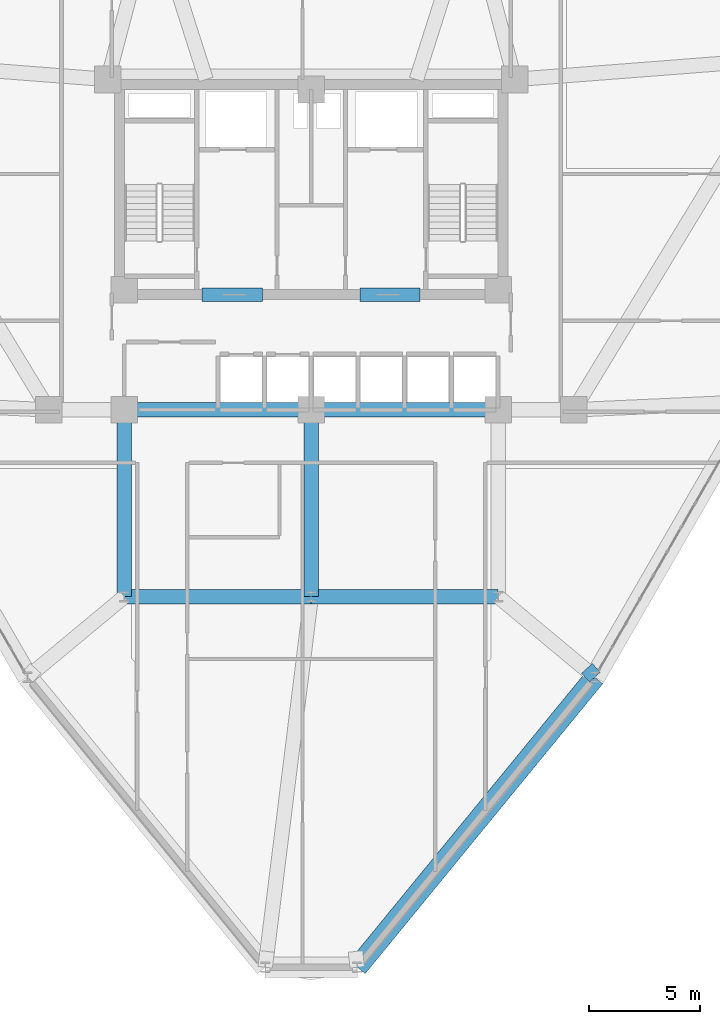
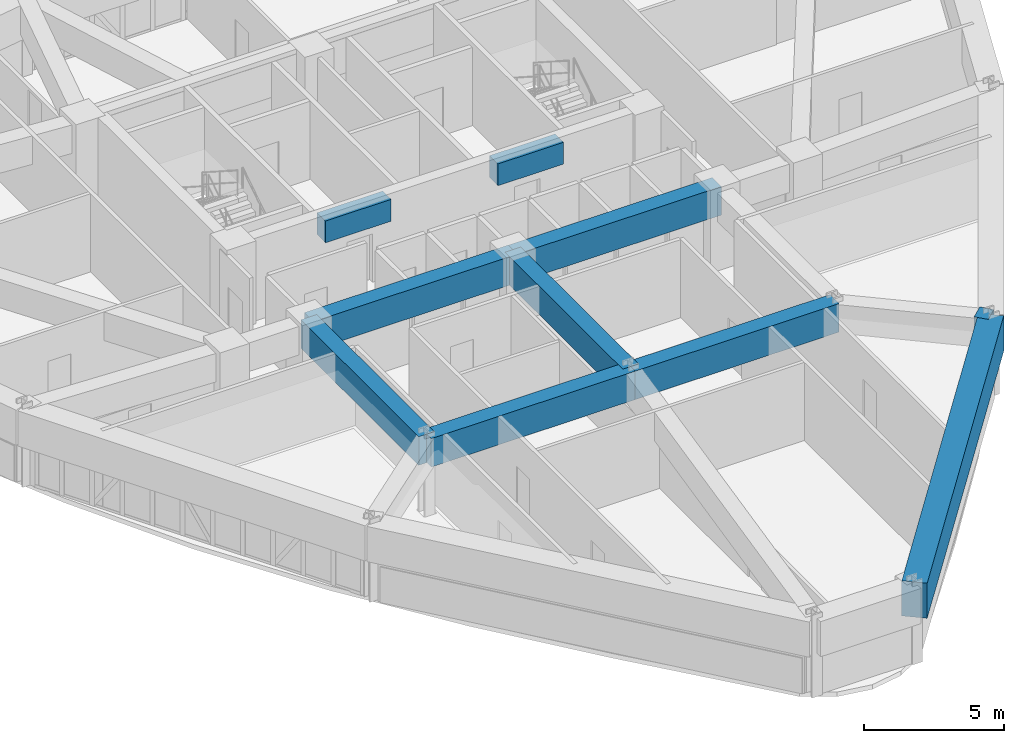
# One storey, part 5 of 16: 10 beams.
"""IFC4 building model written with IfcOpenShell, lengths in metres."""

from ifc_helpers import new_model, si_unit, derived_unit, direction, frame, origin, origin_2d, place, context, subcontext, project, spatial, rectangle, extrude, source, transform, mapped, material, material_profile, profile_set, type_object, element, save


model = new_model("IFC4")

# Units and contexts
model_context = context("Model", 3, precision=1e-05, world=origin(), true_north=direction((0.0, 1.0)))
body_context = subcontext(model_context, "Body", "Model", "MODEL_VIEW")
ifc_project = project(units=[si_unit("LENGTHUNIT", "METRE"), si_unit("AREAUNIT", "SQUARE_METRE"), si_unit("VOLUMEUNIT", "CUBIC_METRE"), si_unit("PLANEANGLEUNIT", "RADIAN"), si_unit("MASSUNIT", "GRAM", prefix="KILO"), derived_unit("THERMALTRANSMITTANCEUNIT", [(si_unit("POWERUNIT", "WATT"), 1), (si_unit("LENGTHUNIT", "METRE"), -2), (si_unit("THERMODYNAMICTEMPERATUREUNIT", "KELVIN"), -1)])], contexts=[model_context])

# Site, building, storey
site_placement = place(None, origin())
site = spatial("IfcSite", under=ifc_project, at=site_placement, CompositionType="ELEMENT")
building_placement = place(site_placement, origin())
building = spatial("IfcBuilding", under=site, at=building_placement, Name="Korsvarv Bourse and Concert Hall", CompositionType="ELEMENT")
storey_placement = place(building_placement, frame((0.0, 0.0, 106.199951171875)))
storey = spatial("IfcBuildingStorey", under=building, at=storey_placement, Name="L26", CompositionType="ELEMENT", Elevation=106.199951171875)

# Beams
ifc_material_1 = material(Name="Concrete C55/67", Category="concrete")
ifc_material_profile_1 = material_profile(ifc_material_1, rectangle(XDim=0.60009765625, YDim=0.949951171875, at=origin_2d()), Name="RC-BM 600x950")
ifc_profile_set_1 = profile_set([ifc_material_profile_1], Name="Concrete C55/67")
beam_type_1 = type_object("IfcBeamType", Name="BM-CPL", PredefinedType="LINTEL", material=ifc_profile_set_1)
shared_shape_1 = source(origin(), body_context, "Body", "SweptSolid", [
    extrude(rectangle(XDim=0.60009765625, YDim=0.949951171875, at=origin_2d()), origin(), (0.0, 0.0, 1.0), 2.699951171875),
])
for number, where, z_axis, x_axis, name in (
    (1, (31.10009765625, 37.574951171875, 2.925048828125), (1.0, 0.0, 0.0), (0.0, 1.0, 0.0), "L26 Core Coupling Beam West"),
    (2, (38.199951171875, 37.574951171875, 2.925048828125), (1.0, 0.0, 0.0), (0.0, 1.0, 0.0), "L26 Core Coupling Beam East"),
):
    element("IfcBeam", number, at=place(storey_placement, frame(where, z_axis=z_axis, x_axis=x_axis)), inside=storey, type_object=beam_type_1, Name=name, PredefinedType="LINTEL", context=body_context, shape_type="MappedRepresentation", body=[
        mapped(shared_shape_1, transform((0.0, 0.0, 0.0), scale=1.0)),
    ])
ifc_material_2 = material(Name="Concrete C50/60", Category="concrete")
ifc_material_profile_2 = material_profile(ifc_material_2, rectangle(XDim=0.64990234375, YDim=1.239990234375, at=origin_2d()), Name="RC-BM 650x1240")
ifc_profile_set_2 = profile_set([ifc_material_profile_2], Name="Concrete C50/60")
beam_type_2 = type_object("IfcBeamType", Name="BM-TR-SPN", PredefinedType="BEAM", material=ifc_profile_set_2)
shared_shape_2 = source(origin(), body_context, "Body", "SweptSolid", [
    extrude(rectangle(XDim=0.64990234375, YDim=1.239990234375, at=origin_2d()), origin(), (0.0, 0.0, 1.0), 8.39990234375),
])
for number, where, z_axis, x_axis, name in (
    (3, (27.60009765625, 32.39990234375, 2.780029296875), (1.0, 0.0, 0.0), (0.0, 1.0, 0.0), "L26 beam B-TRS"),
    (4, (36.0, 32.39990234375, 2.780029296875), (1.0, 0.0, 0.0), (0.0, 1.0, 0.0), "L26 beam B-TRS"),
    (5, (27.60009765625, 24.0, 2.780029296875), (1.0, 0.0, 0.0), (0.0, 1.0, 0.0), "L26 beam B-TRS"),
    (6, (36.0, 24.0, 2.780029296875), (1.0, 0.0, 0.0), (0.0, 1.0, 0.0), "L26 beam B-TRS"),
    (7, (27.60009765625, 24.0, 2.780029296875), (0.0, 1.0, 0.0), (-1.0, 0.0, 0.0), "L26 beam B-TRS"),
    (8, (36.0, 24.0, 2.780029296875), (0.0, 1.0, 0.0), (-1.0, 0.0, 0.0), "L26 beam B-TRS"),
):
    element("IfcBeam", number, at=place(storey_placement, frame(where, z_axis=z_axis, x_axis=x_axis)), inside=storey, type_object=beam_type_2, Name=name, PredefinedType="BEAM", context=body_context, shape_type="MappedRepresentation", body=[
        mapped(shared_shape_2, transform((0.0, 0.0, 0.0), scale=1.0)),
    ])
ifc_material_profile_3 = material_profile(ifc_material_2, rectangle(XDim=0.919921875, YDim=1.530029296875, at=origin_2d()), Name="RC-BM 920x1530")
ifc_profile_set_3 = profile_set([ifc_material_profile_3], Name="Concrete C50/60")
beam_type_3 = type_object("IfcBeamType", Name="BM-TR-154", PredefinedType="BEAM", material=ifc_profile_set_3)
shared_shape_3 = source(origin(), body_context, "Body", "SweptSolid", [
    extrude(rectangle(XDim=0.919921875, YDim=1.530029296875, at=origin_2d()), origin(), (0.0, 0.0, 1.0), 16.8564453125),
])
beam_1_placement = place(storey_placement, frame((38.068359375, 7.34375, 2.635009765625), z_axis=(0.63375425105, 0.773534452546, 0.0), x_axis=(-0.773534452546, 0.63375425105, 0.0)))
element("IfcBeam", 9, at=beam_1_placement, inside=storey, type_object=beam_type_3, Name="L26 beam B-TR6", PredefinedType="BEAM", context=body_context, shape_type="MappedRepresentation", body=[
    mapped(shared_shape_3, transform((0.0, 0.0, 0.0), scale=1.0)),
])
shared_shape_4 = source(origin(), body_context, "Body", "SweptSolid", [
    extrude(rectangle(XDim=0.64990234375, YDim=1.239990234375, at=origin_2d()), origin(), (0.0, 0.0, 1.0), 0.531982421875),
])
beam_2_placement = place(storey_placement, frame((48.751220703125, 20.3828125, 2.780029296875), z_axis=(-0.673768600107, 0.738942402025, 0.0), x_axis=(-0.738942402025, -0.673768600107, 0.0)))
element("IfcBeam", 10, at=beam_2_placement, inside=storey, type_object=beam_type_2, Name="L26 beam B-TRS", PredefinedType="BEAM", context=body_context, shape_type="MappedRepresentation", body=[
    mapped(shared_shape_4, transform((0.0, 0.0, 0.0), scale=1.0)),
])

save(model, "model.ifc")
